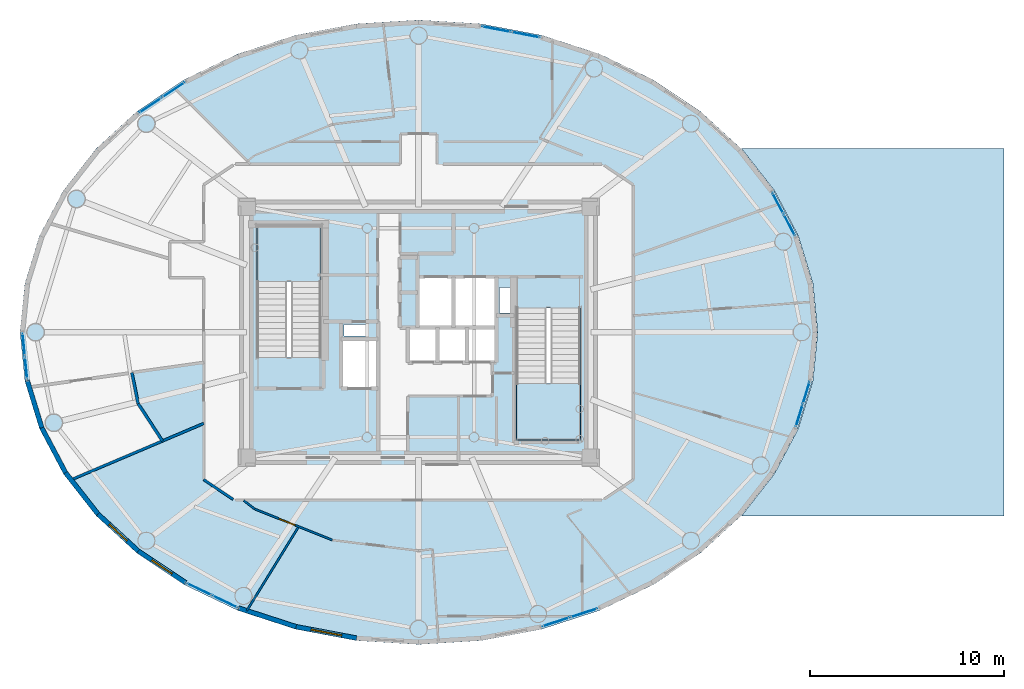
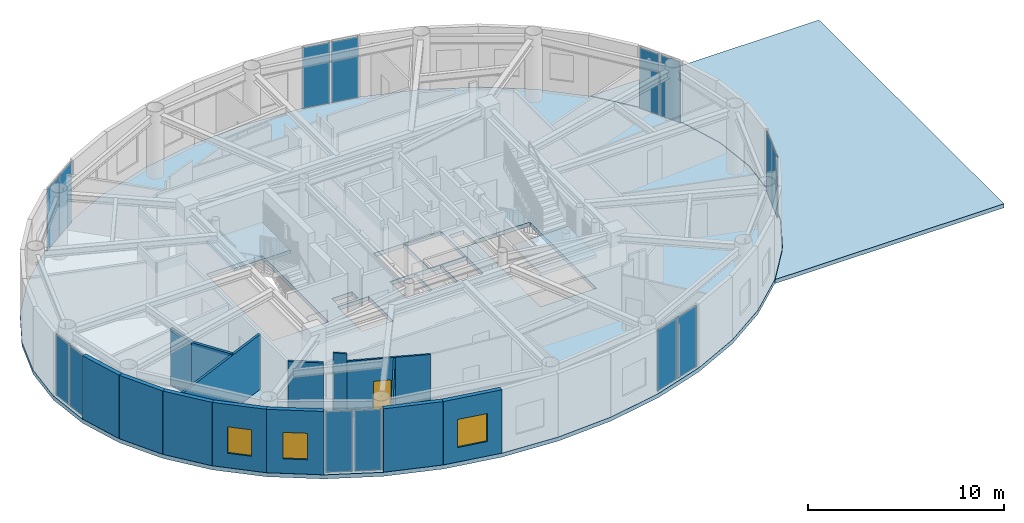
# One storey, part 13 of 24: 14 plates, 14 walls, 4 slabs, 3 windows, 1 door, 4 openings, 9 elements without a shape of their own.
"""IFC4 building model written with IfcOpenShell, lengths in metres."""

from ifc_helpers import new_model, si_unit, direction, frame, frame_2d, origin, origin_2d, place, context, subcontext, project, spatial, polyline, rectangle, outline, extrude, source, transform, mapped, material, layer, layer_set, type_object, element, fill, aggregate, save


model = new_model("IFC4")

# Units and contexts
model_context = context("Model", 3, precision=1e-05, world=origin(), true_north=direction((0.0, 1.0)))
body_context = subcontext(model_context, "Body", "Model", "MODEL_VIEW")
ifc_project = project(units=[si_unit("LENGTHUNIT", "METRE"), si_unit("AREAUNIT", "SQUARE_METRE"), si_unit("VOLUMEUNIT", "CUBIC_METRE"), si_unit("PLANEANGLEUNIT", "RADIAN"), si_unit("MASSUNIT", "GRAM", prefix="KILO")], contexts=[model_context])

# Site, building, storey
site_placement = place(None, origin())
site = spatial("IfcSite", under=ifc_project, at=site_placement, CompositionType="ELEMENT")
building_placement = place(site_placement, origin())
building = spatial("IfcBuilding", under=site, at=building_placement, Name="Linh Dai School and Residence Tower", CompositionType="ELEMENT")
storey_placement = place(building_placement, frame((0.0, 0.0, 355.199951171875)))
storey = spatial("IfcBuildingStorey", under=building, at=storey_placement, Name="L88", CompositionType="ELEMENT", Elevation=355.199951171875)

# Slabs
ifc_material_1 = material(Name="Concrete B45 (C35/45)", Category="concrete")
ifc_layer_1 = layer(ifc_material_1, 0.25)
ifc_layer_set_1 = layer_set([ifc_layer_1], Name="Concrete B45 (C35/45)")
slab_type_1 = type_object("IfcSlabType", Name="SLB-FLR250", PredefinedType="FLOOR", material=ifc_layer_set_1)
slab_1_placement = place(storey_placement, frame((0.0, 0.0, -0.25)))
element("IfcSlab", 1, at=slab_1_placement, inside=storey, type_object=slab_type_1, Name="L88 Composite Structural Floor Slab", PredefinedType="FLOOR", context=body_context, shape_type="SweptSolid", body=[
    extrude(outline(polyline([(56.5, 27.0), (56.24755859375, 29.511474609375), (55.49658203125, 31.961181640625), (54.265625, 34.288818359375), (52.5849609375, 36.43701171875), (50.49560546875, 38.3525390625), (48.049560546875, 39.98876953125), (45.306884765625, 41.30517578125), (42.3349609375, 42.269287109375), (39.206787109375, 42.857421875), (36.0, 43.054931640625), (32.793212890625, 42.857421875), (29.6650390625, 42.269287109375), (26.693115234375, 41.30517578125), (23.950439453125, 39.98876953125), (21.50439453125, 38.3525390625), (19.4150390625, 36.43701171875), (17.734375, 34.288818359375), (16.50341796875, 31.961181640625), (15.75244140625, 29.511474609375), (15.5, 27.0), (15.75244140625, 24.488525390625), (16.50341796875, 22.038818359375), (17.734375, 19.711181640625), (19.4150390625, 17.56298828125), (21.50439453125, 15.6474609375), (23.950439453125, 14.01123046875), (26.693115234375, 12.69482421875), (29.6650390625, 11.730712890625), (32.793212890625, 11.142578125), (36.0, 10.945068359375), (39.206787109375, 11.142578125), (42.3349609375, 11.730712890625), (45.306884765625, 12.69482421875), (48.049560546875, 14.01123046875), (50.49560546875, 15.6474609375), (52.5849609375, 17.56298828125), (54.265625, 19.711181640625), (55.49658203125, 22.038818359375), (56.24755859375, 24.488525390625), (56.5, 27.0)]), holes=[polyline([(30.97998046875, 25.699951171875), (30.97998046875, 32.5), (27.679931640625, 32.5), (27.679931640625, 25.699951171875), (30.97998046875, 25.699951171875)]), polyline([(41.02001953125, 28.25), (41.02001953125, 21.449951171875), (44.320068359375, 21.449951171875), (44.320068359375, 28.25), (41.02001953125, 28.25)]), polyline([(35.97998046875, 27.280029296875), (37.77001953125, 27.280029296875), (37.77001953125, 29.820068359375), (35.97998046875, 29.820068359375), (35.97998046875, 27.280029296875)]), polyline([(32.030029296875, 24.1298828125), (33.8701171875, 24.1298828125), (33.8701171875, 26.6201171875), (32.030029296875, 26.6201171875), (32.030029296875, 24.1298828125)]), polyline([(37.830078125, 27.280029296875), (39.969970703125, 27.280029296875), (39.969970703125, 29.820068359375), (37.830078125, 29.820068359375), (37.830078125, 27.280029296875)]), polyline([(35.47998046875, 25.47998046875), (36.929931640625, 25.47998046875), (36.929931640625, 27.219970703125), (35.47998046875, 27.219970703125), (35.47998046875, 25.47998046875)]), polyline([(36.989990234375, 25.47998046875), (38.449951171875, 25.47998046875), (38.449951171875, 27.219970703125), (36.989990234375, 27.219970703125), (36.989990234375, 25.47998046875)]), polyline([(38.510009765625, 25.47998046875), (39.969970703125, 25.47998046875), (39.969970703125, 27.219970703125), (38.510009765625, 27.219970703125), (38.510009765625, 25.47998046875)]), polyline([(40.14990234375, 28.0), (40.14990234375, 29.300048828125), (41.0, 29.300048828125), (41.0, 28.280029296875), (40.989990234375, 28.280029296875), (40.989990234375, 28.0), (40.14990234375, 28.0)]), polyline([(32.14990234375, 26.800048828125), (33.35009765625, 26.800048828125), (33.35009765625, 27.39990234375), (32.14990234375, 27.39990234375), (32.14990234375, 26.800048828125)])]), origin(), (0.0, 0.0, 1.0), 0.25),
])
ifc_layer_2 = layer(ifc_material_1, 0.25)
ifc_layer_set_2 = layer_set([ifc_layer_2], Name="Concrete B45 (C35/45)")
slab_type_2 = type_object("IfcSlabType", Name="SLB-ROOF250", PredefinedType="ROOF", material=ifc_layer_set_2)
slab_2_placement = place(storey_placement, frame((0.0, 0.0, -0.25)))
element("IfcSlab", 2, at=slab_2_placement, inside=storey, type_object=slab_type_2, Name="L88 Flat Roof Slab Over Cantilevered Sky Lounge", PredefinedType="ROOF", context=body_context, shape_type="SweptSolid", body=[
    extrude(outline(polyline([(52.60107421875, 17.55126953125), (66.10009765625, 17.55126953125), (66.10009765625, 36.44873046875), (52.60107421875, 36.44873046875), (54.283447265625, 34.2978515625), (55.515625, 31.967529296875), (56.267333984375, 29.5146484375), (56.52001953125, 27.0), (56.267333984375, 24.4853515625), (55.515625, 22.032470703125), (54.283447265625, 19.7021484375), (52.60107421875, 17.55126953125), (52.60107421875, 17.55126953125)])), origin(), (0.0, 0.0, 1.0), 0.25),
])

# Stair, slab
stair_type = type_object("IfcStairType", Name="ST-DOG-1550-R1500", PredefinedType="HALF_TURN_STAIR", material=ifc_material_1)
stair_1_placement = place(storey_placement, origin())
stair_1 = element("IfcStair", 3, at=stair_1_placement, inside=storey, type_object=stair_type, Name="L88 Core Smokeproof Exit Stair ST1", PredefinedType="HALF_TURN_STAIR")
ifc_layer_3 = layer(ifc_material_1, 0.199951171875)
ifc_layer_set_3 = layer_set([ifc_layer_3], Name="Concrete B45 (C35/45)")
slab_type_3 = type_object("IfcSlabType", Name="SLB-ST-LANDING-200", PredefinedType="LANDING", material=ifc_layer_set_3)
slab_3_placement = place(storey_placement, frame((0.0, 0.0, 1.900146484375)))
slab_3 = element("IfcSlab", 4, at=slab_3_placement, type_object=slab_type_3, Name="ST1 landing 1", PredefinedType="LANDING", context=body_context, shape_type="SweptSolid", body=[
    extrude(outline(polyline([(30.97998046875, 29.60009765625), (30.97998046875, 32.5), (27.679931640625, 32.5), (27.679931640625, 29.60009765625), (30.97998046875, 29.60009765625)])), origin(), (0.0, 0.0, 1.0), 0.199951171875),
])
aggregate(stair_1, [slab_3])

stair_2_placement = place(storey_placement, origin())
stair_2 = element("IfcStair", 5, at=stair_2_placement, inside=storey, type_object=stair_type, Name="L88 Core Smokeproof Exit Stair ST2", PredefinedType="HALF_TURN_STAIR")
slab_4_placement = place(storey_placement, frame((0.0, 0.0, 1.900146484375)))
slab_4 = element("IfcSlab", 6, at=slab_4_placement, type_object=slab_type_3, Name="ST2 landing 1", PredefinedType="LANDING", context=body_context, shape_type="SweptSolid", body=[
    extrude(outline(polyline([(41.02001953125, 24.35009765625), (41.02001953125, 21.449951171875), (44.320068359375, 21.449951171875), (44.320068359375, 24.35009765625), (41.02001953125, 24.35009765625)])), origin(), (0.0, 0.0, 1.0), 0.199951171875),
])
aggregate(stair_2, [slab_4])

# Curtain wall, plates
ifc_material_2 = material(Name="Aluminium Anodised Curtain Wall", Category="aluminium")
ifc_layer_4 = layer(ifc_material_2, 0.199951171875)
ifc_layer_set_4 = layer_set([ifc_layer_4], Name="Aluminium Anodised Curtain Wall")
curtain_wall_type = type_object("IfcCurtainWallType", Name="CW-SYS-6", PredefinedType="USERDEFINED", material=ifc_layer_set_4)
curtain_wall_1_placement = place(storey_placement, origin())
curtain_wall_1 = element("IfcCurtainWall", 7, at=curtain_wall_1_placement, inside=storey, type_object=curtain_wall_type, Name="L88 CW6 Curtain Wall 09", ObjectType="UNITISED CURTAIN WALL", PredefinedType="USERDEFINED")
ifc_material_3 = material(Name="Double Low-E Insulated Glazing", Category="glass")
ifc_layer_5 = layer(ifc_material_3, 0.035888671875)
ifc_layer_set_5 = layer_set([ifc_layer_5], Name="Double Low-E Insulated Glazing")
plate_type = type_object("IfcPlateType", Name="CW-SYS-6-PAN", PredefinedType="CURTAIN_PANEL", material=ifc_layer_set_5)
shared_shape_1 = source(origin(), body_context, "Body", "SweptSolid", [
    extrude(rectangle(XDim=1.470947265625, YDim=0.035888671875, at=origin_2d()), origin(), (0.0, 0.0, 1.0), 3.800048828125),
])
plate_1_placement = place(storey_placement, frame((39.988037109375, 42.58349609375, 0.0751953125), z_axis=(0.0, 0.0, 1.0), x_axis=(0.982779051851, -0.184784564405, 0.0)))
plate_1 = element("IfcPlate", 8, at=plate_1_placement, type_object=plate_type, Name="CW6 panel 1.1", PredefinedType="CURTAIN_PANEL", context=body_context, shape_type="MappedRepresentation", body=[
    mapped(shared_shape_1, transform((0.0, 0.0, 0.0), x_axis=(1.0, 0.0, 0.0), y_axis=(0.0, 1.0, 0.0), z_axis=(0.0, 0.0, 1.0), scale=1.0)),
])
plate_2_placement = place(storey_placement, frame((41.507568359375, 42.2978515625, 0.0751953125), z_axis=(0.0, 0.0, 1.0), x_axis=(0.982779051851, -0.184784564405, 0.0)))
plate_2 = element("IfcPlate", 9, at=plate_2_placement, type_object=plate_type, Name="CW6 panel 2.1", PredefinedType="CURTAIN_PANEL", context=body_context, shape_type="MappedRepresentation", body=[
    mapped(shared_shape_1, transform((0.0, 0.0, 0.0), x_axis=(1.0, 0.0, 0.0), y_axis=(0.0, 1.0, 0.0), z_axis=(0.0, 0.0, 1.0), scale=1.0)),
])
aggregate(curtain_wall_1, [plate_1, plate_2])

curtain_wall_2_placement = place(storey_placement, origin())
curtain_wall_2 = element("IfcCurtainWall", 10, at=curtain_wall_2_placement, inside=storey, type_object=curtain_wall_type, Name="L88 CW6 Curtain Wall 15", ObjectType="UNITISED CURTAIN WALL", PredefinedType="USERDEFINED")
shared_shape_2 = source(origin(), body_context, "Body", "SweptSolid", [
    extrude(rectangle(XDim=1.349853515625, YDim=0.035888671875, at=origin_2d()), origin(), (0.0, 0.0, 1.0), 3.800048828125),
])
plate_3_placement = place(storey_placement, frame((22.20458984375, 38.671142578125, 0.0751953125), z_axis=(0.0, 0.0, 1.0), x_axis=(0.831201837679, 0.555970777144, 0.0)))
plate_3 = element("IfcPlate", 11, at=plate_3_placement, type_object=plate_type, Name="CW6 panel 1.1", PredefinedType="CURTAIN_PANEL", context=body_context, shape_type="MappedRepresentation", body=[
    mapped(shared_shape_2, transform((0.0, 0.0, 0.0), x_axis=(1.0, 0.0, 0.0), y_axis=(0.0, 1.0, 0.0), z_axis=(0.0, 0.0, 1.0), scale=1.0)),
])
plate_4_placement = place(storey_placement, frame((23.388916015625, 39.463134765625, 0.0751953125), z_axis=(0.0, 0.0, 1.0), x_axis=(0.831201837679, 0.555970777144, 0.0)))
plate_4 = element("IfcPlate", 12, at=plate_4_placement, type_object=plate_type, Name="CW6 panel 2.1", PredefinedType="CURTAIN_PANEL", context=body_context, shape_type="MappedRepresentation", body=[
    mapped(shared_shape_2, transform((0.0, 0.0, 0.0), x_axis=(1.0, 0.0, 0.0), y_axis=(0.0, 1.0, 0.0), z_axis=(0.0, 0.0, 1.0), scale=1.0)),
])
aggregate(curtain_wall_2, [plate_3, plate_4])

curtain_wall_3_placement = place(storey_placement, origin())
curtain_wall_3 = element("IfcCurtainWall", 13, at=curtain_wall_3_placement, inside=storey, type_object=curtain_wall_type, Name="L88 CW6 Curtain Wall 21", ObjectType="UNITISED CURTAIN WALL", PredefinedType="USERDEFINED")
shared_shape_3 = source(origin(), body_context, "Body", "SweptSolid", [
    extrude(rectangle(XDim=1.13720703125, YDim=0.035888671875, at=origin_2d()), origin(), (0.0, 0.0, 1.0), 3.800048828125),
])
plate_5_placement = place(storey_placement, frame((15.810546875, 25.153564453125, 0.0751953125), z_axis=(0.0, 0.0, 1.0), x_axis=(-0.099991763355, 0.994988264886, 0.0)))
plate_5 = element("IfcPlate", 14, at=plate_5_placement, type_object=plate_type, Name="CW6 panel 1.1", PredefinedType="CURTAIN_PANEL", context=body_context, shape_type="MappedRepresentation", body=[
    mapped(shared_shape_3, transform((0.0, 0.0, 0.0), x_axis=(1.0, 0.0, 0.0), y_axis=(0.0, 1.0, 0.0), z_axis=(0.0, 0.0, 1.0), scale=1.0)),
])
plate_6_placement = place(storey_placement, frame((15.689453125, 26.359619140625, 0.0751953125), z_axis=(0.0, 0.0, 1.0), x_axis=(-0.099991763355, 0.994988264886, 0.0)))
plate_6 = element("IfcPlate", 15, at=plate_6_placement, type_object=plate_type, Name="CW6 panel 2.1", PredefinedType="CURTAIN_PANEL", context=body_context, shape_type="MappedRepresentation", body=[
    mapped(shared_shape_3, transform((0.0, 0.0, 0.0), x_axis=(1.0, 0.0, 0.0), y_axis=(0.0, 1.0, 0.0), z_axis=(0.0, 0.0, 1.0), scale=1.0)),
])
aggregate(curtain_wall_3, [plate_5, plate_6])

curtain_wall_4_placement = place(storey_placement, origin())
curtain_wall_4 = element("IfcCurtainWall", 16, at=curtain_wall_4_placement, inside=storey, type_object=curtain_wall_type, Name="L88 CW6 Curtain Wall 27", ObjectType="UNITISED CURTAIN WALL", PredefinedType="USERDEFINED")
shared_shape_4 = source(origin(), body_context, "Body", "SweptSolid", [
    extrude(rectangle(XDim=1.400146484375, YDim=0.035888671875, at=origin_2d()), origin(), (0.0, 0.0, 1.0), 3.800048828125),
])
plate_7_placement = place(storey_placement, frame((26.040771484375, 13.146240234375, 0.0751953125), z_axis=(0.0, 0.0, 1.0), x_axis=(-0.901550652892, 0.432673572419, 0.0)))
plate_7 = element("IfcPlate", 17, at=plate_7_placement, type_object=plate_type, Name="CW6 panel 1.1", PredefinedType="CURTAIN_PANEL", context=body_context, shape_type="MappedRepresentation", body=[
    mapped(shared_shape_4, transform((0.0, 0.0, 0.0), x_axis=(1.0, 0.0, 0.0), y_axis=(0.0, 1.0, 0.0), z_axis=(0.0, 0.0, 1.0), scale=1.0)),
])
plate_8_placement = place(storey_placement, frame((24.7109375, 13.784423828125, 0.0751953125), z_axis=(0.0, 0.0, 1.0), x_axis=(-0.901550652892, 0.432673572419, 0.0)))
plate_8 = element("IfcPlate", 18, at=plate_8_placement, type_object=plate_type, Name="CW6 panel 2.1", PredefinedType="CURTAIN_PANEL", context=body_context, shape_type="MappedRepresentation", body=[
    mapped(shared_shape_4, transform((0.0, 0.0, 0.0), x_axis=(1.0, 0.0, 0.0), y_axis=(0.0, 1.0, 0.0), z_axis=(0.0, 0.0, 1.0), scale=1.0)),
])
aggregate(curtain_wall_4, [plate_7, plate_8])

curtain_wall_5_placement = place(storey_placement, origin())
curtain_wall_5 = element("IfcCurtainWall", 19, at=curtain_wall_5_placement, inside=storey, type_object=curtain_wall_type, Name="L88 CW6 Curtain Wall 33", ObjectType="UNITISED CURTAIN WALL", PredefinedType="USERDEFINED")
shared_shape_5 = source(origin(), body_context, "Body", "SweptSolid", [
    extrude(rectangle(XDim=1.441650390625, YDim=0.035888671875, at=origin_2d()), origin(), (0.0, 0.0, 1.0), 3.800048828125),
])
plate_9_placement = place(storey_placement, frame((44.50341796875, 12.5654296875, 0.0751953125), z_axis=(0.0, 0.0, 1.0), x_axis=(-0.951203168298, -0.30856528097, 0.0)))
plate_9 = element("IfcPlate", 20, at=plate_9_placement, type_object=plate_type, Name="CW6 panel 1.1", PredefinedType="CURTAIN_PANEL", context=body_context, shape_type="MappedRepresentation", body=[
    mapped(shared_shape_5, transform((0.0, 0.0, 0.0), x_axis=(1.0, 0.0, 0.0), y_axis=(0.0, 1.0, 0.0), z_axis=(0.0, 0.0, 1.0), scale=1.0)),
])
plate_10_placement = place(storey_placement, frame((43.06103515625, 12.097412109375, 0.0751953125), z_axis=(0.0, 0.0, 1.0), x_axis=(-0.951203168298, -0.30856528097, 0.0)))
plate_10 = element("IfcPlate", 21, at=plate_10_placement, type_object=plate_type, Name="CW6 panel 2.1", PredefinedType="CURTAIN_PANEL", context=body_context, shape_type="MappedRepresentation", body=[
    mapped(shared_shape_5, transform((0.0, 0.0, 0.0), x_axis=(1.0, 0.0, 0.0), y_axis=(0.0, 1.0, 0.0), z_axis=(0.0, 0.0, 1.0), scale=1.0)),
])
aggregate(curtain_wall_5, [plate_9, plate_10])

curtain_wall_6_placement = place(storey_placement, origin())
curtain_wall_6 = element("IfcCurtainWall", 22, at=curtain_wall_6_placement, inside=storey, type_object=curtain_wall_type, Name="L88 CW6 Curtain Wall 03", ObjectType="UNITISED CURTAIN WALL", PredefinedType="USERDEFINED")
shared_shape_6 = source(origin(), body_context, "Body", "SweptSolid", [
    extrude(rectangle(XDim=1.192626953125, YDim=0.035888671875, at=origin_2d()), origin(), (0.0, 0.0, 1.0), 3.800048828125),
])
plate_11_placement = place(storey_placement, frame((54.474609375, 33.627197265625, 0.0751953125), z_axis=(0.0, 0.0, 1.0), x_axis=(0.46754020214, -0.883971809156, 0.0)))
plate_11 = element("IfcPlate", 23, at=plate_11_placement, type_object=plate_type, Name="CW6 panel 1.1", PredefinedType="CURTAIN_PANEL", context=body_context, shape_type="MappedRepresentation", body=[
    mapped(shared_shape_6, transform((0.0, 0.0, 0.0), x_axis=(1.0, 0.0, 0.0), y_axis=(0.0, 1.0, 0.0), z_axis=(0.0, 0.0, 1.0), scale=1.0)),
])
plate_12_placement = place(storey_placement, frame((55.0673828125, 32.5068359375, 0.0751953125), z_axis=(0.0, 0.0, 1.0), x_axis=(0.46754020214, -0.883971809156, 0.0)))
plate_12 = element("IfcPlate", 24, at=plate_12_placement, type_object=plate_type, Name="CW6 panel 2.1", PredefinedType="CURTAIN_PANEL", context=body_context, shape_type="MappedRepresentation", body=[
    mapped(shared_shape_6, transform((0.0, 0.0, 0.0), x_axis=(1.0, 0.0, 0.0), y_axis=(0.0, 1.0, 0.0), z_axis=(0.0, 0.0, 1.0), scale=1.0)),
])
aggregate(curtain_wall_6, [plate_11, plate_12])

curtain_wall_7_placement = place(storey_placement, origin())
curtain_wall_7 = element("IfcCurtainWall", 25, at=curtain_wall_7_placement, inside=storey, type_object=curtain_wall_type, Name="L88 CW6 Curtain Wall 39", ObjectType="UNITISED CURTAIN WALL", PredefinedType="USERDEFINED")
shared_shape_7 = source(origin(), body_context, "Body", "SweptSolid", [
    extrude(rectangle(XDim=1.156494140625, YDim=0.035888671875, at=origin_2d()), origin(), (0.0, 0.0, 1.0), 3.800048828125),
])
plate_13_placement = place(storey_placement, frame((55.93359375, 23.888671875, 0.0751953125), z_axis=(0.0, 0.0, 1.0), x_axis=(-0.293094784248, -0.956083389379, 0.0)))
plate_13 = element("IfcPlate", 26, at=plate_13_placement, type_object=plate_type, Name="CW6 panel 1.1", PredefinedType="CURTAIN_PANEL", context=body_context, shape_type="MappedRepresentation", body=[
    mapped(shared_shape_7, transform((0.0, 0.0, 0.0), x_axis=(1.0, 0.0, 0.0), y_axis=(0.0, 1.0, 0.0), z_axis=(0.0, 0.0, 1.0), scale=1.0)),
])
plate_14_placement = place(storey_placement, frame((55.57275390625, 22.711181640625, 0.0751953125), z_axis=(0.0, 0.0, 1.0), x_axis=(-0.293094784248, -0.956083389379, 0.0)))
plate_14 = element("IfcPlate", 27, at=plate_14_placement, type_object=plate_type, Name="CW6 panel 2.1", PredefinedType="CURTAIN_PANEL", context=body_context, shape_type="MappedRepresentation", body=[
    mapped(shared_shape_7, transform((0.0, 0.0, 0.0), x_axis=(1.0, 0.0, 0.0), y_axis=(0.0, 1.0, 0.0), z_axis=(0.0, 0.0, 1.0), scale=1.0)),
])
aggregate(curtain_wall_7, [plate_13, plate_14])

# Walls
ifc_material_4 = material(Name="Precast Concrete B45 (C35/45)", Category="concrete")
ifc_layer_6 = layer(ifc_material_4, 0.239990234375)
ifc_layer_set_6 = layer_set([ifc_layer_6], Name="Precast Concrete B45 (C35/45)")
wall_type_1 = type_object("IfcWallType", Name="EW-TC-240", PredefinedType="SOLIDWALL", material=ifc_layer_set_6)
wall_1_placement = place(storey_placement, frame((16.618896484375, 22.086669921875, 0.0), z_axis=(0.0, 0.0, 1.0), x_axis=(-0.293105547213, 0.956080089842, 0.0)))
element("IfcWall", 28, at=wall_1_placement, inside=storey, type_object=wall_type_1, Name="L88 Terracotta Exterior Wall 22", PredefinedType="SOLIDWALL", context=body_context, shape_type="SweptSolid", body=[
    extrude(rectangle(XDim=2.5380859375, YDim=0.239990234375, at=frame_2d((1.26904296875, 0.0))), origin(), (0.0, 0.0, 1.0), 3.949951171875),
])
wall_2_placement = place(storey_placement, frame((17.839111328125, 19.779296875, 0.0), z_axis=(0.0, 0.0, 1.0), x_axis=(-0.467487999989, 0.883999417345, 0.0)))
element("IfcWall", 29, at=wall_2_placement, inside=storey, type_object=wall_type_1, Name="L88 Terracotta Exterior Wall 23", PredefinedType="SOLIDWALL", context=body_context, shape_type="SweptSolid", body=[
    extrude(rectangle(XDim=2.610107421875, YDim=0.239990234375, at=frame_2d((1.30517578125, 0.0))), origin(), (0.0, 0.0, 1.0), 3.949951171875),
])
wall_3_placement = place(storey_placement, frame((19.5068359375, 17.648193359375, 0.0), z_axis=(0.0, 0.0, 1.0), x_axis=(-0.616286367698, 0.78752213492, 0.0)))
element("IfcWall", 30, at=wall_3_placement, inside=storey, type_object=wall_type_1, Name="L88 Terracotta Exterior Wall 24", PredefinedType="SOLIDWALL", context=body_context, shape_type="SweptSolid", body=[
    extrude(rectangle(XDim=2.7060546875, YDim=0.239990234375, at=frame_2d((1.35302734375, 0.0))), origin(), (0.0, 0.0, 1.0), 3.949951171875),
])

# Wall, opening, window
wall_4_placement = place(storey_placement, frame((21.581298828125, 15.745849609375, 0.0), z_axis=(0.0, 0.0, 1.0), x_axis=(-0.737020907932, 0.675869944051, 0.0)))
wall_4 = element("IfcWall", 31, at=wall_4_placement, inside=storey, type_object=wall_type_1, Name="L88 Terracotta Exterior Wall 25", PredefinedType="SOLIDWALL", context=body_context, shape_type="SweptSolid", body=[
    extrude(rectangle(XDim=2.814697265625, YDim=0.239990234375, at=frame_2d((1.4072265625, 0.0))), origin(), (0.0, 0.0, 1.0), 3.949951171875),
])
opening_1_placement = place(wall_4_placement, frame((0.781982421875, 0.0, 0.89990234375)))
opening_1 = element("IfcOpeningElement", 32, at=opening_1_placement, cuts=wall_4, Name="Opening W3", PredefinedType="OPENING", context=body_context, shape_type="SweptSolid", body=[
    extrude(rectangle(XDim=1.25, YDim=1.64990234375, at=origin_2d()), frame((0.625, 0.1298828125, 0.824951171875), z_axis=(0.0, -1.0, 0.0), x_axis=(1.0, 0.0, 0.0)), (0.0, 0.0, 1.0), 0.260009765625),
])
window_type_1 = type_object("IfcWindowType", Name="WN-RES-1250x1650", PartitioningType="SINGLE_PANEL", PredefinedType="WINDOW", material=ifc_material_3)
shared_shape_8 = source(origin(), body_context, "Body", "SweptSolid", [
    extrude(rectangle(XDim=1.25, YDim=1.64990234375, at=origin_2d()), frame((0.625, 0.030029296875, 0.824951171875), z_axis=(0.0, -1.0, 0.0), x_axis=(1.0, 0.0, 0.0)), (0.0, 0.0, 1.0), 0.06005859375),
])
window_1_placement = place(opening_1_placement, origin())
window_1 = element("IfcWindow", 33, at=window_1_placement, inside=storey, type_object=window_type_1, Name="L88 Exterior Window 25.1", OverallHeight=1.64990234375, OverallWidth=1.25, PartitioningType="SINGLE_PANEL", PredefinedType="WINDOW", context=body_context, shape_type="MappedRepresentation", body=[
    mapped(shared_shape_8, transform((0.0, 0.0, 0.0), x_axis=(1.0, 0.0, 0.0), y_axis=(0.0, 1.0, 0.0), z_axis=(0.0, 0.0, 1.0), scale=1.0)),
])
fill(opening_1, window_1)

wall_5_placement = place(storey_placement, frame((24.01220703125, 14.119873046875, 0.0), z_axis=(0.0, 0.0, 1.0), x_axis=(-0.831201688654, 0.555970999944, 0.0)))
wall_5 = element("IfcWall", 34, at=wall_5_placement, inside=storey, type_object=wall_type_1, Name="L88 Terracotta Exterior Wall 26", PredefinedType="SOLIDWALL", context=body_context, shape_type="SweptSolid", body=[
    extrude(rectangle(XDim=2.924560546875, YDim=0.239990234375, at=frame_2d((1.46240234375, 0.0))), origin(), (0.0, 0.0, 1.0), 3.949951171875),
])
opening_2_placement = place(wall_5_placement, frame((0.837158203125, 0.0, 0.89990234375)))
opening_2 = element("IfcOpeningElement", 35, at=opening_2_placement, cuts=wall_5, Name="Opening W3", PredefinedType="OPENING", context=body_context, shape_type="SweptSolid", body=[
    extrude(rectangle(XDim=1.25, YDim=1.64990234375, at=origin_2d()), frame((0.625, 0.1298828125, 0.824951171875), z_axis=(0.0, -1.0, 0.0), x_axis=(1.0, 0.0, 0.0)), (0.0, 0.0, 1.0), 0.260009765625),
])
window_2_placement = place(opening_2_placement, origin())
window_2 = element("IfcWindow", 36, at=window_2_placement, inside=storey, type_object=window_type_1, Name="L88 Exterior Window 26.1", OverallHeight=1.64990234375, OverallWidth=1.25, PartitioningType="SINGLE_PANEL", PredefinedType="WINDOW", context=body_context, shape_type="MappedRepresentation", body=[
    mapped(shared_shape_8, transform((0.0, 0.0, 0.0), x_axis=(1.0, 0.0, 0.0), y_axis=(0.0, 1.0, 0.0), z_axis=(0.0, 0.0, 1.0), scale=1.0)),
])
fill(opening_2, window_2)

# Wall
wall_6_placement = place(storey_placement, frame((29.696044921875, 11.85205078125, 0.0), z_axis=(0.0, 0.0, 1.0), x_axis=(-0.951212850731, 0.308535431682, 0.0)))
element("IfcWall", 37, at=wall_6_placement, inside=storey, type_object=wall_type_1, Name="L88 Terracotta Exterior Wall 28", PredefinedType="SOLIDWALL", context=body_context, shape_type="SweptSolid", body=[
    extrude(rectangle(XDim=3.108154296875, YDim=0.239990234375, at=frame_2d((1.55419921875, 0.0))), origin(), (0.0, 0.0, 1.0), 3.949951171875),
])

# Wall, opening, window
wall_7_placement = place(storey_placement, frame((32.80859375, 11.2666015625, 0.0), z_axis=(0.0, 0.0, 1.0), x_axis=(-0.98276643264, 0.184851667226, 0.0)))
wall_7 = element("IfcWall", 38, at=wall_7_placement, inside=storey, type_object=wall_type_1, Name="L88 Terracotta Exterior Wall 29", PredefinedType="SOLIDWALL", context=body_context, shape_type="SweptSolid", body=[
    extrude(rectangle(XDim=3.167236328125, YDim=0.239990234375, at=frame_2d((1.58349609375, 0.0))), origin(), (0.0, 0.0, 1.0), 3.949951171875),
])
opening_3_placement = place(wall_7_placement, frame((0.783447265625, 0.0, 0.89990234375)))
opening_3 = element("IfcOpeningElement", 39, at=opening_3_placement, cuts=wall_7, Name="Opening W2", PredefinedType="OPENING", context=body_context, shape_type="SweptSolid", body=[
    extrude(rectangle(XDim=1.60009765625, YDim=1.75, at=origin_2d()), frame((0.800048828125, 0.1298828125, 0.875), z_axis=(0.0, -1.0, 0.0), x_axis=(1.0, 0.0, 0.0)), (0.0, 0.0, 1.0), 0.260009765625),
])
window_type_2 = type_object("IfcWindowType", Name="WN-RES-1600x1750", PartitioningType="DOUBLE_PANEL_VERTICAL", PredefinedType="WINDOW", material=ifc_material_3)
shared_shape_9 = source(origin(), body_context, "Body", "SweptSolid", [
    extrude(rectangle(XDim=1.60009765625, YDim=1.75, at=origin_2d()), frame((0.800048828125, 0.030029296875, 0.875), z_axis=(0.0, -1.0, 0.0), x_axis=(1.0, 0.0, 0.0)), (0.0, 0.0, 1.0), 0.06005859375),
])
window_3_placement = place(opening_3_placement, origin())
window_3 = element("IfcWindow", 40, at=window_3_placement, inside=storey, type_object=window_type_2, Name="L88 Exterior Window 29.1", OverallHeight=1.75, OverallWidth=1.60009765625, PartitioningType="DOUBLE_PANEL_VERTICAL", PredefinedType="WINDOW", context=body_context, shape_type="MappedRepresentation", body=[
    mapped(shared_shape_9, transform((0.0, 0.0, 0.0), x_axis=(1.0, 0.0, 0.0), y_axis=(0.0, 1.0, 0.0), z_axis=(0.0, 0.0, 1.0), scale=1.0)),
])
fill(opening_3, window_3)

# Walls
ifc_material_5 = material(Name="Autoclaved Aerated Concrete Blockwork", Category="masonry")
ifc_layer_7 = layer(ifc_material_5, 0.135009765625)
ifc_layer_set_7 = layer_set([ifc_layer_7], Name="Autoclaved Aerated Concrete Blockwork")
wall_type_2 = type_object("IfcWallType", Name="IW-CORR-135-EI90", PredefinedType="PARTITIONING", material=ifc_layer_set_7)
wall_8_placement = place(storey_placement, frame((18.12109375, 19.410888671875, 0.0), z_axis=(0.0, 0.0, 1.0), x_axis=(0.920504676902, 0.390731544416, 0.0)))
element("IfcWall", 41, at=wall_8_placement, inside=storey, type_object=wall_type_2, Name="L88 Interior Partition Wall 003", PredefinedType="PARTITIONING", context=body_context, shape_type="SweptSolid", body=[
    extrude(rectangle(XDim=7.418701171875, YDim=0.135009765625, at=frame_2d((3.70947265625, 0.0))), origin(), (0.0, 0.0, 1.0), 3.43505859375),
])
wall_9_placement = place(storey_placement, frame((24.949951171875, 19.41748046875, 0.0), z_axis=(0.0, 0.0, 1.0), x_axis=(0.831180227396, -0.556003084151, 0.0)))
element("IfcWall", 42, at=wall_9_placement, inside=storey, type_object=wall_type_2, Name="L88 Interior Partition Wall 011", PredefinedType="PARTITIONING", context=body_context, shape_type="SweptSolid", body=[
    extrude(rectangle(XDim=1.815185546875, YDim=0.135009765625, at=frame_2d((0.90771484375, 0.0))), origin(), (0.0, 0.0, 1.0), 3.485107421875),
])
ifc_layer_8 = layer(ifc_material_5, 0.14990234375)
ifc_layer_set_8 = layer_set([ifc_layer_8], Name="Autoclaved Aerated Concrete Blockwork")
wall_type_3 = type_object("IfcWallType", Name="IW-SCH-150-EI60", PredefinedType="PARTITIONING", material=ifc_layer_set_8)
wall_10_placement = place(storey_placement, frame((21.251220703125, 24.916748046875, 0.0), z_axis=(0.0, 0.0, 1.0), x_axis=(0.19828885672, -0.980143626873, 0.0)))
element("IfcWall", 43, at=wall_10_placement, inside=storey, type_object=wall_type_3, Name="L88 Interior Partition Wall 004", PredefinedType="PARTITIONING", context=body_context, shape_type="SweptSolid", body=[
    extrude(rectangle(XDim=1.620361328125, YDim=0.14990234375, at=frame_2d((0.81005859375, 0.0))), origin(), (0.0, 0.0, 1.0), 3.485107421875),
])
wall_11_placement = place(storey_placement, frame((21.572509765625, 23.32861328125, 0.0), z_axis=(0.0, 0.0, 1.0), x_axis=(0.545377524042, -0.838190525041, 0.0)))
element("IfcWall", 44, at=wall_11_placement, inside=storey, type_object=wall_type_3, Name="L88 Interior Partition Wall 005", PredefinedType="PARTITIONING", context=body_context, shape_type="SweptSolid", body=[
    extrude(rectangle(XDim=2.29296875, YDim=0.14990234375, at=frame_2d((1.146484375, 0.0))), origin(), (0.0, 0.0, 1.0), 3.485107421875),
])
ifc_material_6 = material(Name="Gypsum Plasterboard Acoustic Stud Partition", Category="masonry")
ifc_layer_9 = layer(ifc_material_6, 0.10009765625)
ifc_layer_set_9 = layer_set([ifc_layer_9], Name="Gypsum Plasterboard Acoustic Stud Partition")
wall_type_4 = type_object("IfcWallType", Name="IW-UNIT-100", PredefinedType="PARTITIONING", material=ifc_layer_set_9)
wall_12_placement = place(storey_placement, frame((27.000732421875, 18.35009765625, 0.0), z_axis=(0.0, 0.0, 1.0), x_axis=(0.787239073243, -0.616647907285, 0.0)))
element("IfcWall", 45, at=wall_12_placement, inside=storey, type_object=wall_type_4, Name="L88 Interior Partition Wall 016", PredefinedType="PARTITIONING", context=body_context, shape_type="SweptSolid", body=[
    extrude(rectangle(XDim=0.717041015625, YDim=0.10009765625, at=frame_2d((0.3583984375, 0.0))), origin(), (0.0, 0.0, 1.0), 3.949951171875),
])
wall_13_placement = place(storey_placement, frame((27.157470703125, 12.670166015625, 0.0), z_axis=(0.0, 0.0, 1.0), x_axis=(0.525159045518, 0.851004099233, 0.0)))
element("IfcWall", 46, at=wall_13_placement, inside=storey, type_object=wall_type_4, Name="L88 Interior Partition Wall 017", PredefinedType="PARTITIONING", context=body_context, shape_type="SweptSolid", body=[
    extrude(rectangle(XDim=5.092041015625, YDim=0.10009765625, at=frame_2d((2.5458984375, 0.0))), origin(), (0.0, 0.0, 1.0), 3.43505859375),
])

# Wall, opening, door
wall_14_placement = place(storey_placement, frame((27.565185546875, 17.907958984375, 0.0), z_axis=(0.0, 0.0, 1.0), x_axis=(0.928769595374, -0.370657576085, 0.0)))
wall_14 = element("IfcWall", 47, at=wall_14_placement, inside=storey, type_object=wall_type_4, Name="L88 Interior Partition Wall 020", PredefinedType="PARTITIONING", context=body_context, shape_type="SweptSolid", body=[
    extrude(rectangle(XDim=4.30712890625, YDim=0.10009765625, at=frame_2d((2.153564453125, 0.0))), origin(), (0.0, 0.0, 1.0), 3.485107421875),
])
opening_4_placement = place(wall_14_placement, frame((1.352783203125, 0.0, 0.0)))
opening_4 = element("IfcOpeningElement", 48, at=opening_4_placement, cuts=wall_14, Name="Opening D05", PredefinedType="OPENING", context=body_context, shape_type="SweptSolid", body=[
    extrude(rectangle(XDim=0.89990234375, YDim=2.10009765625, at=origin_2d()), frame((0.449951171875, 0.06005859375, 1.050048828125), z_axis=(0.0, -1.0, 0.0), x_axis=(1.0, 0.0, 0.0)), (0.0, 0.0, 1.0), 0.1201171875),
])
ifc_material_7 = material(Name="Engineered Timber Internal Door", Category="wood")
door_type = type_object("IfcDoorType", Name="DR-INT-900x2100", OperationType="NOTDEFINED", PredefinedType="DOOR", material=ifc_material_7)
shared_shape_10 = source(origin(), body_context, "Body", "SweptSolid", [
    extrude(rectangle(XDim=0.89990234375, YDim=2.10009765625, at=origin_2d()), frame((0.449951171875, 0.02490234375, 1.050048828125), z_axis=(0.0, -1.0, 0.0), x_axis=(1.0, 0.0, 0.0)), (0.0, 0.0, 1.0), 0.050048828125),
])
door_placement = place(opening_4_placement, origin())
door = element("IfcDoor", 49, at=door_placement, inside=storey, type_object=door_type, Name="L88 Apartment U8801 Principal Bedroom 1 Door", OperationType="SINGLE_SWING_LEFT", OverallHeight=2.10009765625, OverallWidth=0.89990234375, PredefinedType="DOOR", context=body_context, shape_type="MappedRepresentation", body=[
    mapped(shared_shape_10, transform((0.0, 0.0, 0.0), x_axis=(1.0, 0.0, 0.0), y_axis=(0.0, 1.0, 0.0), z_axis=(0.0, 0.0, 1.0), scale=1.0)),
])
fill(opening_4, door)

save(model, "model.ifc")
